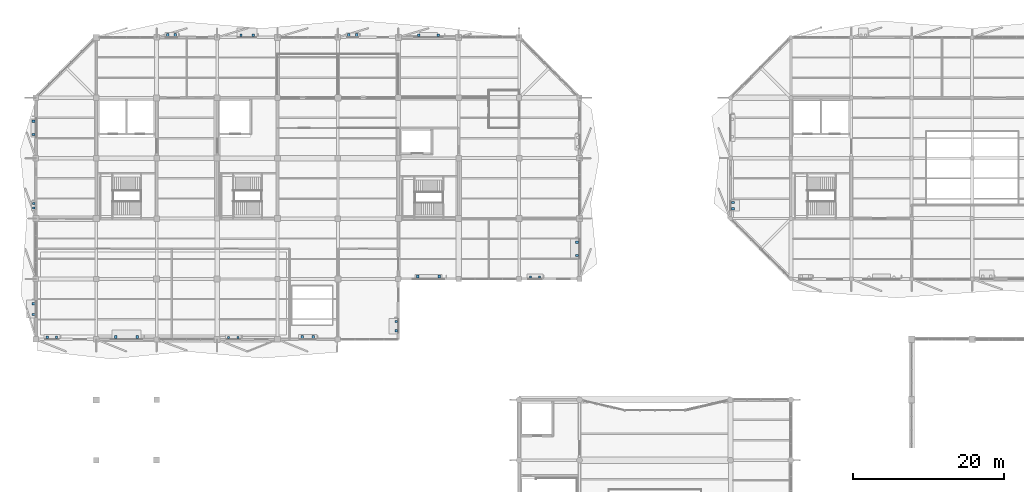
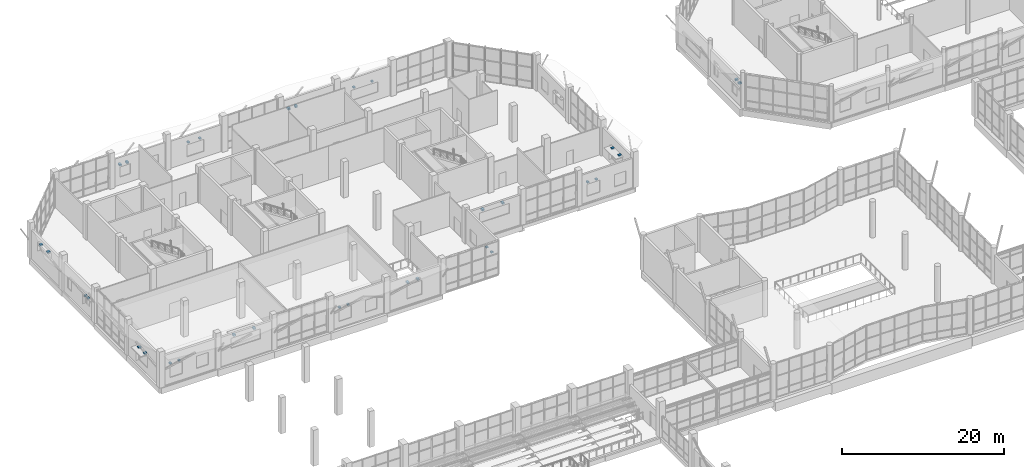
# One storey, part 113 of 122: 32 discrete accessories.
"""IFC4 building model written with IfcOpenShell, lengths in metres."""

from ifc_helpers import new_model, si_unit, direction, frame, origin, origin_2d, place, context, subcontext, project, spatial, rectangle, extrude, material, type_object, element, save


model = new_model("IFC4")

# Units and contexts
model_context = context("Model", 3, precision=1e-05, world=origin(), true_north=direction((0.0, 1.0)))
body_context = subcontext(model_context, "Body", "Model", "MODEL_VIEW")
ifc_project = project(units=[si_unit("LENGTHUNIT", "METRE"), si_unit("AREAUNIT", "SQUARE_METRE"), si_unit("VOLUMEUNIT", "CUBIC_METRE"), si_unit("PLANEANGLEUNIT", "RADIAN"), si_unit("MASSUNIT", "GRAM", prefix="KILO")], contexts=[model_context])

# Site, building, storey
site_placement = place(None, origin())
site = spatial("IfcSite", under=ifc_project, at=site_placement, CompositionType="ELEMENT")
building_placement = place(site_placement, origin())
building = spatial("IfcBuilding", under=site, at=building_placement, Name="Tenunan Teduh Sports Hall", CompositionType="ELEMENT")
storey_placement = place(building_placement, frame((0.0, 0.0, 5.39990234375)))
storey = spatial("IfcBuildingStorey", under=building, at=storey_placement, Name="L01", CompositionType="ELEMENT", Elevation=5.39990234375)

# Discrete accessories
ifc_material_1 = material(Name="Steel S355", Category="steel")
discrete_accessory_type_1 = type_object("IfcDiscreteAccessoryType", Name="BRK-SHD-1", PredefinedType="BRACKET", material=ifc_material_1)
for number, where, z_axis, x_axis, name in (
    (1, (7.512939453125, 78.27490234375, 2.64990234375), (0.0, 0.0, 1.0), (1.0, 0.0, 0.0), "BRK-L01-022-1"),
    (2, (8.737060546875, 78.27490234375, 2.64990234375), (0.0, 0.0, 1.0), (1.0, 0.0, 0.0), "BRK-L01-022-2"),
    (3, (31.5380859375, 78.2548828125, 2.64990234375), (0.0, 0.0, 1.0), (1.0, 0.0, 0.0), "BRK-L01-024-1"),
    (4, (32.761962890625, 78.2548828125, 2.64990234375), (0.0, 0.0, 1.0), (1.0, 0.0, 0.0), "BRK-L01-024-2"),
    (5, (53.72509765625, 79.137939453125, 2.64990234375), (0.0, 0.0, 1.0), (0.0, 1.0, 0.0), "BRK-L01-026-1"),
    (6, (53.72509765625, 80.362060546875, 2.64990234375), (0.0, 0.0, 1.0), (0.0, 1.0, 0.0), "BRK-L01-026-2"),
    (7, (71.488037109375, 86.2548828125, 2.64990234375), (0.0, 0.0, 1.0), (1.0, 0.0, 0.0), "BRK-L01-028-1"),
    (8, (72.7119140625, 86.2548828125, 2.64990234375), (0.0, 0.0, 1.0), (1.0, 0.0, 0.0), "BRK-L01-028-2"),
    (9, (33.154052734375, 118.27001953125, 2.64990234375), (0.0, 0.0, 1.0), (1.0, 0.0, 0.0), "BRK-L01-032-1"),
    (10, (34.785888671875, 118.27001953125, 2.64990234375), (0.0, 0.0, 1.0), (1.0, 0.0, 0.0), "BRK-L01-032-2"),
    (11, (56.7080078125, 118.27001953125, 2.64990234375), (0.0, 0.0, 1.0), (1.0, 0.0, 0.0), "BRK-L01-034-1"),
    (12, (59.2919921875, 118.27001953125, 2.64990234375), (0.0, 0.0, 1.0), (1.0, 0.0, 0.0), "BRK-L01-034-2"),
    (13, (5.72509765625, 95.39404296875, 2.64990234375), (0.0, 0.0, 1.0), (0.0, 1.0, 0.0), "BRK-L01-036-1"),
    (14, (5.72509765625, 96.006103515625, 2.64990234375), (0.0, 0.0, 1.0), (0.0, 1.0, 0.0), "BRK-L01-036-2"),
):
    element("IfcDiscreteAccessory", number, at=place(storey_placement, frame(where, z_axis=z_axis, x_axis=x_axis)), inside=storey, type_object=discrete_accessory_type_1, Name=name, PredefinedType="BRACKET", context=body_context, shape_type="SweptSolid", body=[
        extrude(rectangle(XDim=0.280029296875, YDim=0.300048828125, at=origin_2d()), origin(), (0.0, 0.0, 1.0), 0.219970703125),
    ])
ifc_material_2 = material(Name="Steel S355", Category="steel")
discrete_accessory_type_2 = type_object("IfcDiscreteAccessoryType", Name="BRK-SHD-2", PredefinedType="BRACKET", material=ifc_material_2)
for number, where, z_axis, x_axis, name in (
    (15, (16.5869140625, 78.330078125, 3.68017578125), (0.0, 0.0, 1.0), (1.0, 0.0, 0.0), "BRK-L01-023-1"),
    (16, (19.443115234375, 78.330078125, 3.68017578125), (0.0, 0.0, 1.0), (1.0, 0.0, 0.0), "BRK-L01-023-2"),
    (17, (41.301025390625, 78.330078125, 2.93017578125), (0.0, 0.0, 1.0), (1.0, 0.0, 0.0), "BRK-L01-025-1"),
    (18, (42.72900390625, 78.330078125, 2.93017578125), (0.0, 0.0, 1.0), (1.0, 0.0, 0.0), "BRK-L01-025-2"),
    (19, (56.572021484375, 86.330078125, 3.68017578125), (0.0, 0.0, 1.0), (1.0, 0.0, 0.0), "BRK-L01-027-1"),
    (20, (59.427978515625, 86.330078125, 3.68017578125), (0.0, 0.0, 1.0), (1.0, 0.0, 0.0), "BRK-L01-027-2"),
    (21, (77.669921875, 89.10791015625, 2.72998046875), (0.0, 0.0, 1.0), (0.0, 1.0, 0.0), "BRK-L01-029-1"),
    (22, (77.669921875, 90.842041015625, 2.72998046875), (0.0, 0.0, 1.0), (0.0, 1.0, 0.0), "BRK-L01-029-2"),
    (23, (23.465087890625, 118.31494140625, 2.6298828125), (0.0, 0.0, 1.0), (1.0, 0.0, 0.0), "BRK-L01-031-1"),
    (24, (24.485107421875, 118.31494140625, 2.6298828125), (0.0, 0.0, 1.0), (1.0, 0.0, 0.0), "BRK-L01-031-2"),
    (25, (47.465087890625, 118.3349609375, 2.6298828125), (0.0, 0.0, 1.0), (1.0, 0.0, 0.0), "BRK-L01-033-1"),
    (26, (48.485107421875, 118.3349609375, 2.6298828125), (0.0, 0.0, 1.0), (1.0, 0.0, 0.0), "BRK-L01-033-2"),
    (27, (5.669921875, 81.301025390625, 2.93017578125), (0.0, 0.0, 1.0), (0.0, 1.0, 0.0), "BRK-L01-035-1"),
    (28, (5.669921875, 82.72900390625, 2.93017578125), (0.0, 0.0, 1.0), (0.0, 1.0, 0.0), "BRK-L01-035-2"),
    (29, (5.669921875, 105.131103515625, 3.68017578125), (0.0, 0.0, 1.0), (0.0, 1.0, 0.0), "BRK-L01-037-1"),
    (30, (5.669921875, 106.89892578125, 3.68017578125), (0.0, 0.0, 1.0), (0.0, 1.0, 0.0), "BRK-L01-037-2"),
    (31, (98.3349609375, 95.31689453125, 2.6298828125), (0.0, 0.0, 1.0), (0.0, 1.0, 0.0), "BRK-L01-089-1"),
    (32, (98.3349609375, 96.133056640625, 2.6298828125), (0.0, 0.0, 1.0), (0.0, 1.0, 0.0), "BRK-L01-089-2"),
):
    element("IfcDiscreteAccessory", number, at=place(storey_placement, frame(where, z_axis=z_axis, x_axis=x_axis)), inside=storey, type_object=discrete_accessory_type_2, Name=name, PredefinedType="BRACKET", context=body_context, shape_type="SweptSolid", body=[
        extrude(rectangle(XDim=0.320068359375, YDim=0.419921875, at=origin_2d()), origin(), (0.0, 0.0, 1.0), 0.260009765625),
    ])

save(model, "model.ifc")
